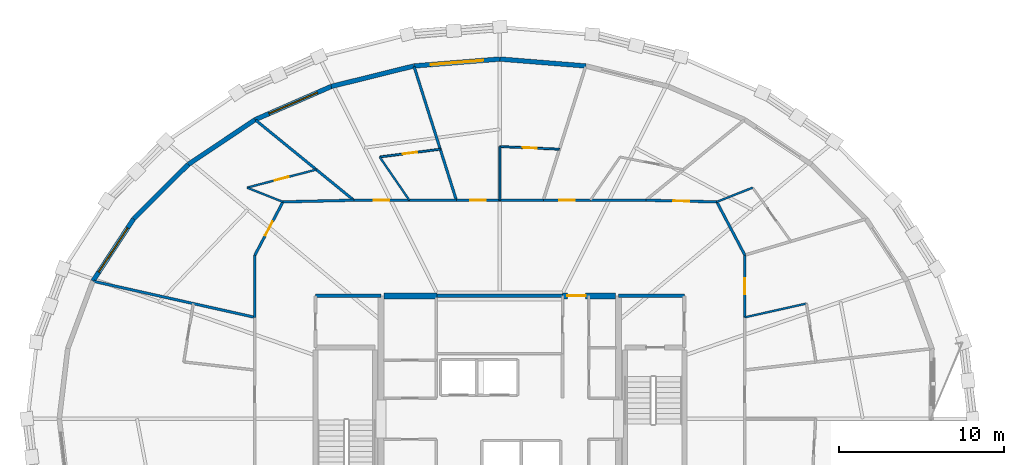
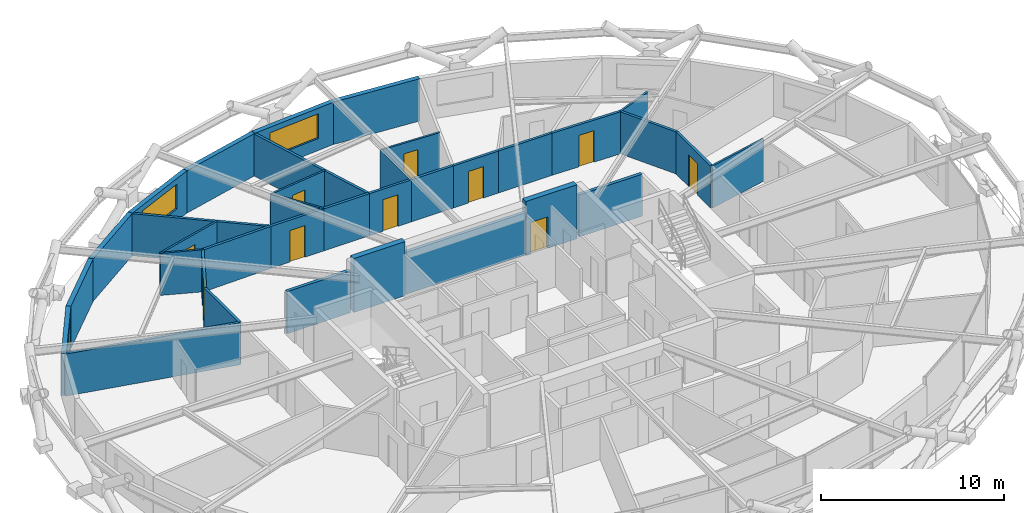
# One storey, part 17 of 21: 35 walls, 10 doors, 3 windows, 13 openings.
"""IFC4 building model written with IfcOpenShell, lengths in metres."""

from ifc_helpers import new_model, si_unit, direction, frame, frame_2d, origin, place, context, subcontext, project, spatial, rectangle, extrude, material, layer, layer_set, type_object, element, fill, save


model = new_model("IFC4")

# Units and contexts
model_context = context("Model", 3, precision=1e-05, world=origin(), true_north=direction((0.0, 1.0)))
body_context = subcontext(model_context, "Body", "Model", "MODEL_VIEW")
ifc_project = project(units=[si_unit("LENGTHUNIT", "METRE"), si_unit("AREAUNIT", "SQUARE_METRE"), si_unit("VOLUMEUNIT", "CUBIC_METRE"), si_unit("PLANEANGLEUNIT", "RADIAN"), si_unit("MASSUNIT", "GRAM", prefix="KILO")], contexts=[model_context])

# Site, building, storey
site_placement = place(None, origin())
site = spatial("IfcSite", under=ifc_project, at=site_placement, CompositionType="ELEMENT")
building_placement = place(site_placement, origin())
building = spatial("IfcBuilding", under=site, at=building_placement, Name="Veldorina Hangang Commons", CompositionType="ELEMENT")
storey_placement = place(building_placement, frame((0.0, 0.0, 120.800048828125)))
storey = spatial("IfcBuildingStorey", under=building, at=storey_placement, Name="L30", CompositionType="ELEMENT", Elevation=120.800048828125)

# Wall
ifc_material_1 = material(Name="Concrete C60/75", Category="concrete")
ifc_layer_1 = layer(ifc_material_1, 0.360107421875)
ifc_layer_set_1 = layer_set([ifc_layer_1], Name="Concrete C60/75")
wall_type_1 = type_object("IfcWallType", Name="CW-RC360-C60", PredefinedType="SHEAR", material=ifc_layer_set_1)
wall_1_placement = place(storey_placement, frame((24.97998046875, 31.449951171875, 0.0), z_axis=(0.0, 0.0, 1.0), x_axis=(1.0, 0.0, 0.0)))
element("IfcWall", 1, at=wall_1_placement, inside=storey, type_object=wall_type_1, Name="L30 north-west core shear wall", PredefinedType="SHEAR", context=body_context, shape_type="SweptSolid", body=[
    extrude(rectangle(XDim=3.219970703125, YDim=0.360107421875, at=frame_2d((1.60986328125, 0.0))), origin(), (0.0, 0.0, 1.0), 3.599853515625),
])

# Wall, opening, door
wall_2_placement = place(storey_placement, frame((35.800048828125, 31.449951171875, 0.0), z_axis=(0.0, 0.0, 1.0), x_axis=(1.0, 0.0, 0.0)))
wall_2 = element("IfcWall", 2, at=wall_2_placement, inside=storey, type_object=wall_type_1, Name="L30 north-east core shear wall", PredefinedType="SHEAR", context=body_context, shape_type="SweptSolid", body=[
    extrude(rectangle(XDim=3.219970703125, YDim=0.360107421875, at=frame_2d((1.60986328125, 0.0))), origin(), (0.0, 0.0, 1.0), 3.599853515625),
])
opening_1_placement = place(wall_2_placement, frame((0.300048828125, 0.0, 0.0)))
opening_1 = element("IfcOpeningElement", 3, at=opening_1_placement, cuts=wall_2, Name="Opening D-08", PredefinedType="OPENING", context=body_context, shape_type="SweptSolid", body=[
    extrude(rectangle(XDim=1.10009765625, YDim=2.10009765625, at=frame_2d((0.550048828125, 1.050048828125))), frame((0.0, 0.18994140625, 0.0), z_axis=(0.0, -1.0, 0.0), x_axis=(1.0, 0.0, 0.0)), (0.0, 0.0, 1.0), 0.380126953125),
])
ifc_material_2 = material(Name="Steel Fire-Rated Smoke Seal", Category="steel")
door_type_1 = type_object("IfcDoorType", Name="DR-FIRE-1100", OperationType="SINGLE_SWING_RIGHT", PredefinedType="DOOR", material=ifc_material_2)
door_1_placement = place(opening_1_placement, origin())
door_1 = element("IfcDoor", 4, at=door_1_placement, inside=storey, type_object=door_type_1, Name="L30 central lift lobby north corridor door", OperationType="SINGLE_SWING_LEFT", OverallHeight=2.10009765625, OverallWidth=1.10009765625, PredefinedType="DOOR", context=body_context, shape_type="SweptSolid", body=[
    extrude(rectangle(XDim=1.10009765625, YDim=2.10009765625, at=frame_2d((0.550048828125, 1.050048828125))), frame((0.0, 0.02490234375, 0.0), z_axis=(0.0, -1.0, 0.0), x_axis=(1.0, 0.0, 0.0)), (0.0, 0.0, 1.0), 0.050048828125),
])
fill(opening_1, door_1)

# Wall
ifc_material_3 = material(Name="Stone Roman Travertine", Category="masonry")
ifc_layer_2 = layer(ifc_material_3, 0.280029296875)
ifc_layer_set_2 = layer_set([ifc_layer_2], Name="Stone Roman Travertine")
wall_type_2 = type_object("IfcWallType", Name="EW-TRAV-280", PredefinedType="STANDARD", material=ifc_layer_set_2)
wall_3_placement = place(storey_placement, frame((37.210205078125, 45.387939453125, 0.0), z_axis=(0.0, 0.0, 1.0), x_axis=(-0.996782820501, 0.080149914249, 0.0)))
element("IfcWall", 5, at=wall_3_placement, inside=storey, type_object=wall_type_2, Name="L30 travertine facade wall 07", PredefinedType="STANDARD", context=body_context, shape_type="SweptSolid", body=[
    extrude(rectangle(XDim=5.22705078125, YDim=0.280029296875, at=frame_2d((2.613525390625, 0.0))), origin(), (0.0, 0.0, 1.0), 2.820068359375),
])

# Wall, opening, window
wall_4_placement = place(storey_placement, frame((32.0, 45.806884765625, 0.0), z_axis=(0.0, 0.0, 1.0), x_axis=(-0.996782820501, -0.080149914249, 0.0)))
wall_4 = element("IfcWall", 6, at=wall_4_placement, inside=storey, type_object=wall_type_2, Name="L30 travertine facade wall 08", PredefinedType="STANDARD", context=body_context, shape_type="SweptSolid", body=[
    extrude(rectangle(XDim=5.22705078125, YDim=0.280029296875, at=frame_2d((2.613525390625, 0.0))), origin(), (0.0, 0.0, 1.0), 2.820068359375),
])
opening_2_placement = place(wall_4_placement, frame((1.013671875, 0.0, 0.800048828125)))
opening_2 = element("IfcOpeningElement", 7, at=opening_2_placement, cuts=wall_4, Name="Opening W-01", PredefinedType="OPENING", context=body_context, shape_type="SweptSolid", body=[
    extrude(rectangle(XDim=3.199951171875, YDim=1.64990234375, at=frame_2d((1.60009765625, 0.824951171875))), frame((0.0, 0.14990234375, 0.0), z_axis=(0.0, -1.0, 0.0), x_axis=(1.0, 0.0, 0.0)), (0.0, 0.0, 1.0), 0.300048828125),
])
ifc_material_4 = material(Name="Glass Low-E Triple IGU", Category="glass")
window_type = type_object("IfcWindowType", Name="WIN-TWR-3200", PartitioningType="SINGLE_PANEL", PredefinedType="WINDOW", material=ifc_material_4)
window_1_placement = place(opening_2_placement, origin())
window_1 = element("IfcWindow", 8, at=window_1_placement, inside=storey, type_object=window_type, Name="L30 facade window 08", OverallHeight=1.64990234375, OverallWidth=3.199951171875, PartitioningType="SINGLE_PANEL", PredefinedType="WINDOW", context=body_context, shape_type="SweptSolid", body=[
    extrude(rectangle(XDim=3.199951171875, YDim=1.64990234375, at=frame_2d((1.60009765625, 0.824951171875))), frame((0.0, 0.030029296875, 0.0), z_axis=(0.0, -1.0, 0.0), x_axis=(1.0, 0.0, 0.0)), (0.0, 0.0, 1.0), 0.06005859375),
])
fill(opening_2, window_1)

# Wall
wall_5_placement = place(storey_placement, frame((26.789794921875, 45.387939453125, 0.0), z_axis=(0.0, 0.0, 1.0), x_axis=(-0.970666096737, -0.240431546694, 0.0)))
element("IfcWall", 9, at=wall_5_placement, inside=storey, type_object=wall_type_2, Name="L30 travertine facade wall 09", PredefinedType="STANDARD", context=body_context, shape_type="SweptSolid", body=[
    extrude(rectangle(XDim=5.161376953125, YDim=0.280029296875, at=frame_2d((2.58056640625, 0.0))), origin(), (0.0, 0.0, 1.0), 2.820068359375),
])

# Wall, opening, window
wall_6_placement = place(storey_placement, frame((21.77978515625, 44.14697265625, 0.0), z_axis=(0.0, 0.0, 1.0), x_axis=(-0.916520644769, -0.399987384441, 0.0)))
wall_6 = element("IfcWall", 10, at=wall_6_placement, inside=storey, type_object=wall_type_2, Name="L30 travertine facade wall 10", PredefinedType="STANDARD", context=body_context, shape_type="SweptSolid", body=[
    extrude(rectangle(XDim=5.0380859375, YDim=0.280029296875, at=frame_2d((2.51904296875, 0.0))), origin(), (0.0, 0.0, 1.0), 2.820068359375),
])
opening_3_placement = place(wall_6_placement, frame((0.9189453125, 0.0, 0.800048828125)))
opening_3 = element("IfcOpeningElement", 11, at=opening_3_placement, cuts=wall_6, Name="Opening W-01", PredefinedType="OPENING", context=body_context, shape_type="SweptSolid", body=[
    extrude(rectangle(XDim=3.199951171875, YDim=1.64990234375, at=frame_2d((1.60009765625, 0.824951171875))), frame((0.0, 0.14990234375, 0.0), z_axis=(0.0, -1.0, 0.0), x_axis=(1.0, 0.0, 0.0)), (0.0, 0.0, 1.0), 0.300048828125),
])
window_2_placement = place(opening_3_placement, origin())
window_2 = element("IfcWindow", 12, at=window_2_placement, inside=storey, type_object=window_type, Name="L30 facade window 10", OverallHeight=1.64990234375, OverallWidth=3.199951171875, PartitioningType="SINGLE_PANEL", PredefinedType="WINDOW", context=body_context, shape_type="SweptSolid", body=[
    extrude(rectangle(XDim=3.199951171875, YDim=1.64990234375, at=frame_2d((1.60009765625, 0.824951171875))), frame((0.0, 0.030029296875, 0.0), z_axis=(0.0, -1.0, 0.0), x_axis=(1.0, 0.0, 0.0)), (0.0, 0.0, 1.0), 0.06005859375),
])
fill(opening_3, window_2)

# Walls
wall_7_placement = place(storey_placement, frame((17.162353515625, 42.1318359375, 0.0), z_axis=(0.0, 0.0, 1.0), x_axis=(-0.830737301714, -0.556664652678, 0.0)))
element("IfcWall", 13, at=wall_7_placement, inside=storey, type_object=wall_type_2, Name="L30 travertine facade wall 11", PredefinedType="STANDARD", context=body_context, shape_type="SweptSolid", body=[
    extrude(rectangle(XDim=4.871826171875, YDim=0.280029296875, at=frame_2d((2.43603515625, 0.0))), origin(), (0.0, 0.0, 1.0), 2.820068359375),
])
wall_8_placement = place(storey_placement, frame((13.115234375, 39.419921875, 0.0), z_axis=(0.0, 0.0, 1.0), x_axis=(-0.708876231206, -0.705332892208, 0.0)))
element("IfcWall", 14, at=wall_8_placement, inside=storey, type_object=wall_type_2, Name="L30 travertine facade wall 12", PredefinedType="STANDARD", context=body_context, shape_type="SweptSolid", body=[
    extrude(rectangle(XDim=4.685302734375, YDim=0.280029296875, at=frame_2d((2.3427734375, 0.0))), origin(), (0.0, 0.0, 1.0), 2.820068359375),
])

# Wall, opening, window
wall_9_placement = place(storey_placement, frame((9.7939453125, 36.115234375, 0.0), z_axis=(0.0, 0.0, 1.0), x_axis=(-0.547716413999, -0.836664048371, 0.0)))
wall_9 = element("IfcWall", 15, at=wall_9_placement, inside=storey, type_object=wall_type_2, Name="L30 travertine facade wall 13", PredefinedType="STANDARD", context=body_context, shape_type="SweptSolid", body=[
    extrude(rectangle(XDim=4.506103515625, YDim=0.280029296875, at=frame_2d((2.2529296875, 0.0))), origin(), (0.0, 0.0, 1.0), 2.820068359375),
])
opening_4_placement = place(wall_9_placement, frame((0.653076171875, 0.0, 0.800048828125)))
opening_4 = element("IfcOpeningElement", 16, at=opening_4_placement, cuts=wall_9, Name="Opening W-01", PredefinedType="OPENING", context=body_context, shape_type="SweptSolid", body=[
    extrude(rectangle(XDim=3.199951171875, YDim=1.64990234375, at=frame_2d((1.60009765625, 0.824951171875))), frame((0.0, 0.14990234375, 0.0), z_axis=(0.0, -1.0, 0.0), x_axis=(1.0, 0.0, 0.0)), (0.0, 0.0, 1.0), 0.300048828125),
])
window_3_placement = place(opening_4_placement, origin())
window_3 = element("IfcWindow", 17, at=window_3_placement, inside=storey, type_object=window_type, Name="L30 facade window 13", OverallHeight=1.64990234375, OverallWidth=3.199951171875, PartitioningType="SINGLE_PANEL", PredefinedType="WINDOW", context=body_context, shape_type="SweptSolid", body=[
    extrude(rectangle(XDim=3.199951171875, YDim=1.64990234375, at=frame_2d((1.60009765625, 0.824951171875))), frame((0.0, 0.030029296875, 0.0), z_axis=(0.0, -1.0, 0.0), x_axis=(1.0, 0.0, 0.0)), (0.0, 0.0, 1.0), 0.06005859375),
])
fill(opening_4, window_3)

# Wall, opening, door
ifc_material_5 = material(Name="Gypsum Fire-Rated Twin Stud Wall", Category="gypsum")
ifc_layer_3 = layer(ifc_material_5, 0.159912109375)
ifc_layer_set_3 = layer_set([ifc_layer_3], Name="Gypsum Fire-Rated Twin Stud Wall")
wall_type_3 = type_object("IfcWallType", Name="WL-FIRE-160", PredefinedType="SOLIDWALL", material=ifc_layer_set_3)
wall_10_placement = place(storey_placement, frame((46.85009765625, 30.151123046875, 0.0), z_axis=(0.0, 0.0, 1.0), x_axis=(0.0, 1.0, 0.0)))
wall_10 = element("IfcWall", 18, at=wall_10_placement, inside=storey, type_object=wall_type_3, Name="L30 U-corridor outer wall 02 048", PredefinedType="SOLIDWALL", context=body_context, shape_type="SweptSolid", body=[
    extrude(rectangle(XDim=3.771484375, YDim=0.159912109375, at=frame_2d((1.8857421875, 0.0))), origin(), (0.0, 0.0, 1.0), 2.800048828125),
])
opening_5_placement = place(wall_10_placement, frame((1.41064453125, 0.0, 0.0)))
opening_5 = element("IfcOpeningElement", 19, at=opening_5_placement, cuts=wall_10, Name="Opening D-03", PredefinedType="OPENING", context=body_context, shape_type="SweptSolid", body=[
    extrude(rectangle(XDim=0.949951171875, YDim=2.10009765625, at=frame_2d((0.47509765625, 1.050048828125))), frame((0.0, 0.08984375, 0.0), z_axis=(0.0, -1.0, 0.0), x_axis=(1.0, 0.0, 0.0)), (0.0, 0.0, 1.0), 0.179931640625),
])
ifc_material_6 = material(Name="Timber Fire-Rated Entrance Core", Category="wood")
door_type_2 = type_object("IfcDoorType", Name="DR-UNIT-950", OperationType="SINGLE_SWING_RIGHT", PredefinedType="DOOR", material=ifc_material_6)
door_2_placement = place(opening_5_placement, origin())
door_2 = element("IfcDoor", 20, at=door_2_placement, inside=storey, type_object=door_type_2, Name="L30 Studio 4 entrance door 027", OperationType="SINGLE_SWING_LEFT", OverallHeight=2.10009765625, OverallWidth=0.949951171875, PredefinedType="DOOR", context=body_context, shape_type="SweptSolid", body=[
    extrude(rectangle(XDim=0.949951171875, YDim=2.10009765625, at=frame_2d((0.47509765625, 1.050048828125))), frame((0.0, 0.02490234375, 0.0), z_axis=(0.0, -1.0, 0.0), x_axis=(1.0, 0.0, 0.0)), (0.0, 0.0, 1.0), 0.050048828125),
])
fill(opening_5, door_2)

# Wall
wall_11_placement = place(storey_placement, frame((46.85009765625, 33.922607421875, 0.0), z_axis=(0.0, 0.0, 1.0), x_axis=(-0.466093963429, 0.884735224378, 0.0)))
element("IfcWall", 21, at=wall_11_placement, inside=storey, type_object=wall_type_3, Name="L30 U-corridor outer wall 03 049", PredefinedType="SOLIDWALL", context=body_context, shape_type="SweptSolid", body=[
    extrude(rectangle(XDim=3.647705078125, YDim=0.159912109375, at=frame_2d((1.82373046875, 0.0))), origin(), (0.0, 0.0, 1.0), 2.800048828125),
])

# Wall, opening, door
wall_12_placement = place(storey_placement, frame((45.14990234375, 37.14990234375, 0.0), z_axis=(0.0, 0.0, 1.0), x_axis=(-0.999728709658, 0.023291781507, 0.0)))
wall_12 = element("IfcWall", 22, at=wall_12_placement, inside=storey, type_object=wall_type_3, Name="L30 U-corridor outer wall 04 050", PredefinedType="SOLIDWALL", context=body_context, shape_type="SweptSolid", body=[
    extrude(rectangle(XDim=4.297607421875, YDim=0.159912109375, at=frame_2d((2.14892578125, 0.0))), origin(), (0.0, 0.0, 1.0), 2.800048828125),
])
opening_6_placement = place(wall_12_placement, frame((1.673828125, 0.0, 0.0)))
opening_6 = element("IfcOpeningElement", 23, at=opening_6_placement, cuts=wall_12, Name="Opening D-03", PredefinedType="OPENING", context=body_context, shape_type="SweptSolid", body=[
    extrude(rectangle(XDim=0.949951171875, YDim=2.10009765625, at=frame_2d((0.47509765625, 1.050048828125))), frame((0.0, 0.08984375, 0.0), z_axis=(0.0, -1.0, 0.0), x_axis=(1.0, 0.0, 0.0)), (0.0, 0.0, 1.0), 0.179931640625),
])
door_3_placement = place(opening_6_placement, origin())
door_3 = element("IfcDoor", 24, at=door_3_placement, inside=storey, type_object=door_type_2, Name="L30 Studio 5 entrance door 029", OperationType="SINGLE_SWING_LEFT", OverallHeight=2.10009765625, OverallWidth=0.949951171875, PredefinedType="DOOR", context=body_context, shape_type="SweptSolid", body=[
    extrude(rectangle(XDim=0.949951171875, YDim=2.10009765625, at=frame_2d((0.47509765625, 1.050048828125))), frame((0.0, 0.02490234375, 0.0), z_axis=(0.0, -1.0, 0.0), x_axis=(1.0, 0.0, 0.0)), (0.0, 0.0, 1.0), 0.050048828125),
])
fill(opening_6, door_3)

# Wall
wall_13_placement = place(storey_placement, frame((40.853515625, 37.25, 0.0), z_axis=(0.0, 0.0, 1.0), x_axis=(-1.0, 0.0, 0.0)))
element("IfcWall", 25, at=wall_13_placement, inside=storey, type_object=wall_type_3, Name="L30 U-corridor outer wall 05 051", PredefinedType="SOLIDWALL", context=body_context, shape_type="SweptSolid", body=[
    extrude(rectangle(XDim=3.365234375, YDim=0.159912109375, at=frame_2d((1.6826171875, 0.0))), origin(), (0.0, 0.0, 1.0), 2.800048828125),
])

# Wall, opening, door
wall_14_placement = place(storey_placement, frame((37.48828125, 37.25, 0.0), z_axis=(0.0, 0.0, 1.0), x_axis=(-1.0, 0.0, 0.0)))
wall_14 = element("IfcWall", 26, at=wall_14_placement, inside=storey, type_object=wall_type_3, Name="L30 U-corridor outer wall 06 052", PredefinedType="SOLIDWALL", context=body_context, shape_type="SweptSolid", body=[
    extrude(rectangle(XDim=2.852783203125, YDim=0.159912109375, at=frame_2d((1.42626953125, 0.0))), origin(), (0.0, 0.0, 1.0), 2.800048828125),
])
opening_7_placement = place(wall_14_placement, frame((0.951416015625, 0.0, 0.0)))
opening_7 = element("IfcOpeningElement", 27, at=opening_7_placement, cuts=wall_14, Name="Opening D-03", PredefinedType="OPENING", context=body_context, shape_type="SweptSolid", body=[
    extrude(rectangle(XDim=0.949951171875, YDim=2.10009765625, at=frame_2d((0.47509765625, 1.050048828125))), frame((0.0, 0.08984375, 0.0), z_axis=(0.0, -1.0, 0.0), x_axis=(1.0, 0.0, 0.0)), (0.0, 0.0, 1.0), 0.179931640625),
])
door_4_placement = place(opening_7_placement, origin())
door_4 = element("IfcDoor", 28, at=door_4_placement, inside=storey, type_object=door_type_2, Name="L30 Studio 6 entrance door 031", OperationType="SINGLE_SWING_LEFT", OverallHeight=2.10009765625, OverallWidth=0.949951171875, PredefinedType="DOOR", context=body_context, shape_type="SweptSolid", body=[
    extrude(rectangle(XDim=0.949951171875, YDim=2.10009765625, at=frame_2d((0.47509765625, 1.050048828125))), frame((0.0, 0.02490234375, 0.0), z_axis=(0.0, -1.0, 0.0), x_axis=(1.0, 0.0, 0.0)), (0.0, 0.0, 1.0), 0.050048828125),
])
fill(opening_7, door_4)

# Wall
wall_15_placement = place(storey_placement, frame((34.635498046875, 37.25, 0.0), z_axis=(0.0, 0.0, 1.0), x_axis=(-1.0, 0.0, 0.0)))
element("IfcWall", 29, at=wall_15_placement, inside=storey, type_object=wall_type_3, Name="L30 U-corridor outer wall 07 053", PredefinedType="SOLIDWALL", context=body_context, shape_type="SweptSolid", body=[
    extrude(rectangle(XDim=2.635498046875, YDim=0.159912109375, at=frame_2d((1.31787109375, 0.0))), origin(), (0.0, 0.0, 1.0), 2.800048828125),
])

# Wall, opening, door
wall_16_placement = place(storey_placement, frame((32.0, 37.25, 0.0), z_axis=(0.0, 0.0, 1.0), x_axis=(-1.0, 0.0, 0.0)))
wall_16 = element("IfcWall", 30, at=wall_16_placement, inside=storey, type_object=wall_type_3, Name="L30 U-corridor outer wall 08 054", PredefinedType="SOLIDWALL", context=body_context, shape_type="SweptSolid", body=[
    extrude(rectangle(XDim=2.635498046875, YDim=0.159912109375, at=frame_2d((1.31787109375, 0.0))), origin(), (0.0, 0.0, 1.0), 2.800048828125),
])
opening_8_placement = place(wall_16_placement, frame((0.8427734375, 0.0, 0.0)))
opening_8 = element("IfcOpeningElement", 31, at=opening_8_placement, cuts=wall_16, Name="Opening D-03", PredefinedType="OPENING", context=body_context, shape_type="SweptSolid", body=[
    extrude(rectangle(XDim=0.949951171875, YDim=2.10009765625, at=frame_2d((0.47509765625, 1.050048828125))), frame((0.0, 0.08984375, 0.0), z_axis=(0.0, -1.0, 0.0), x_axis=(1.0, 0.0, 0.0)), (0.0, 0.0, 1.0), 0.179931640625),
])
door_5_placement = place(opening_8_placement, origin())
door_5 = element("IfcDoor", 32, at=door_5_placement, inside=storey, type_object=door_type_2, Name="L30 Studio 7 entrance door 033", OperationType="SINGLE_SWING_LEFT", OverallHeight=2.10009765625, OverallWidth=0.949951171875, PredefinedType="DOOR", context=body_context, shape_type="SweptSolid", body=[
    extrude(rectangle(XDim=0.949951171875, YDim=2.10009765625, at=frame_2d((0.47509765625, 1.050048828125))), frame((0.0, 0.02490234375, 0.0), z_axis=(0.0, -1.0, 0.0), x_axis=(1.0, 0.0, 0.0)), (0.0, 0.0, 1.0), 0.050048828125),
])
fill(opening_8, door_5)

# Wall
wall_17_placement = place(storey_placement, frame((29.364501953125, 37.25, 0.0), z_axis=(0.0, 0.0, 1.0), x_axis=(-1.0, 0.0, 0.0)))
element("IfcWall", 33, at=wall_17_placement, inside=storey, type_object=wall_type_3, Name="L30 U-corridor outer wall 09 055", PredefinedType="SOLIDWALL", context=body_context, shape_type="SweptSolid", body=[
    extrude(rectangle(XDim=2.852783203125, YDim=0.159912109375, at=frame_2d((1.42626953125, 0.0))), origin(), (0.0, 0.0, 1.0), 2.800048828125),
])

# Wall, opening, door
wall_18_placement = place(storey_placement, frame((26.51171875, 37.25, 0.0), z_axis=(0.0, 0.0, 1.0), x_axis=(-1.0, 0.0, 0.0)))
wall_18 = element("IfcWall", 34, at=wall_18_placement, inside=storey, type_object=wall_type_3, Name="L30 U-corridor outer wall 10 056", PredefinedType="SOLIDWALL", context=body_context, shape_type="SweptSolid", body=[
    extrude(rectangle(XDim=3.365234375, YDim=0.159912109375, at=frame_2d((1.6826171875, 0.0))), origin(), (0.0, 0.0, 1.0), 2.800048828125),
])
opening_9_placement = place(wall_18_placement, frame((1.20751953125, 0.0, 0.0)))
opening_9 = element("IfcOpeningElement", 35, at=opening_9_placement, cuts=wall_18, Name="Opening D-03", PredefinedType="OPENING", context=body_context, shape_type="SweptSolid", body=[
    extrude(rectangle(XDim=0.949951171875, YDim=2.10009765625, at=frame_2d((0.47509765625, 1.050048828125))), frame((0.0, 0.08984375, 0.0), z_axis=(0.0, -1.0, 0.0), x_axis=(1.0, 0.0, 0.0)), (0.0, 0.0, 1.0), 0.179931640625),
])
door_6_placement = place(opening_9_placement, origin())
door_6 = element("IfcDoor", 36, at=door_6_placement, inside=storey, type_object=door_type_2, Name="L30 Studio 8 entrance door 035", OperationType="SINGLE_SWING_LEFT", OverallHeight=2.10009765625, OverallWidth=0.949951171875, PredefinedType="DOOR", context=body_context, shape_type="SweptSolid", body=[
    extrude(rectangle(XDim=0.949951171875, YDim=2.10009765625, at=frame_2d((0.47509765625, 1.050048828125))), frame((0.0, 0.02490234375, 0.0), z_axis=(0.0, -1.0, 0.0), x_axis=(1.0, 0.0, 0.0)), (0.0, 0.0, 1.0), 0.050048828125),
])
fill(opening_9, door_6)

# Wall
wall_19_placement = place(storey_placement, frame((23.146484375, 37.25, 0.0), z_axis=(0.0, 0.0, 1.0), x_axis=(-0.999728709658, -0.023291781507, 0.0)))
element("IfcWall", 37, at=wall_19_placement, inside=storey, type_object=wall_type_3, Name="L30 U-corridor outer wall 11 057", PredefinedType="SOLIDWALL", context=body_context, shape_type="SweptSolid", body=[
    extrude(rectangle(XDim=4.297607421875, YDim=0.159912109375, at=frame_2d((2.14892578125, 0.0))), origin(), (0.0, 0.0, 1.0), 2.800048828125),
])

# Wall, opening, door
wall_20_placement = place(storey_placement, frame((18.85009765625, 37.14990234375, 0.0), z_axis=(0.0, 0.0, 1.0), x_axis=(-0.466093963429, -0.884735224378, 0.0)))
wall_20 = element("IfcWall", 38, at=wall_20_placement, inside=storey, type_object=wall_type_3, Name="L30 U-corridor outer wall 12 058", PredefinedType="SOLIDWALL", context=body_context, shape_type="SweptSolid", body=[
    extrude(rectangle(XDim=3.647705078125, YDim=0.159912109375, at=frame_2d((1.82373046875, 0.0))), origin(), (0.0, 0.0, 1.0), 2.800048828125),
])
opening_10_placement = place(wall_20_placement, frame((1.348876953125, 0.0, 0.0)))
opening_10 = element("IfcOpeningElement", 39, at=opening_10_placement, cuts=wall_20, Name="Opening D-03", PredefinedType="OPENING", context=body_context, shape_type="SweptSolid", body=[
    extrude(rectangle(XDim=0.949951171875, YDim=2.10009765625, at=frame_2d((0.47509765625, 1.050048828125))), frame((0.0, 0.08984375, 0.0), z_axis=(0.0, -1.0, 0.0), x_axis=(1.0, 0.0, 0.0)), (0.0, 0.0, 1.0), 0.179931640625),
])
door_7_placement = place(opening_10_placement, origin())
door_7 = element("IfcDoor", 40, at=door_7_placement, inside=storey, type_object=door_type_2, Name="L30 Studio 9 entrance door 037", OperationType="SINGLE_SWING_LEFT", OverallHeight=2.10009765625, OverallWidth=0.949951171875, PredefinedType="DOOR", context=body_context, shape_type="SweptSolid", body=[
    extrude(rectangle(XDim=0.949951171875, YDim=2.10009765625, at=frame_2d((0.47509765625, 1.050048828125))), frame((0.0, 0.02490234375, 0.0), z_axis=(0.0, -1.0, 0.0), x_axis=(1.0, 0.0, 0.0)), (0.0, 0.0, 1.0), 0.050048828125),
])
fill(opening_10, door_7)

# Walls
wall_21_placement = place(storey_placement, frame((17.14990234375, 33.922607421875, 0.0), z_axis=(0.0, 0.0, 1.0), x_axis=(0.0, -1.0, 0.0)))
element("IfcWall", 41, at=wall_21_placement, inside=storey, type_object=wall_type_3, Name="L30 U-corridor outer wall 13 059", PredefinedType="SOLIDWALL", context=body_context, shape_type="SweptSolid", body=[
    extrude(rectangle(XDim=3.771484375, YDim=0.159912109375, at=frame_2d((1.8857421875, 0.0))), origin(), (0.0, 0.0, 1.0), 2.800048828125),
])
wall_22_placement = place(storey_placement, frame((29.364501953125, 37.25, 0.0), z_axis=(0.0, 0.0, 1.0), x_axis=(-0.30167247597, 0.953411620048, 0.0)))
element("IfcWall", 42, at=wall_22_placement, inside=storey, type_object=wall_type_3, Name="L30 Unit party wall 09 101", PredefinedType="SOLIDWALL", context=body_context, shape_type="SweptSolid", body=[
    extrude(rectangle(XDim=8.4853515625, YDim=0.159912109375, at=frame_2d((4.24267578125, 0.0))), origin(), (0.0, 0.0, 1.0), 2.800048828125),
])
wall_23_placement = place(storey_placement, frame((23.146484375, 37.25, 0.0), z_axis=(0.0, 0.0, 1.0), x_axis=(-0.774866661355, 0.632124716429, 0.0)))
element("IfcWall", 43, at=wall_23_placement, inside=storey, type_object=wall_type_3, Name="L30 Unit party wall 11 104", PredefinedType="SOLIDWALL", context=body_context, shape_type="SweptSolid", body=[
    extrude(rectangle(XDim=7.672607421875, YDim=0.159912109375, at=frame_2d((3.83642578125, 0.0))), origin(), (0.0, 0.0, 1.0), 2.800048828125),
])
wall_24_placement = place(storey_placement, frame((17.14990234375, 30.151123046875, 0.0), z_axis=(0.0, 0.0, 1.0), x_axis=(-0.975957101014, 0.217962696303, 0.0)))
element("IfcWall", 44, at=wall_24_placement, inside=storey, type_object=wall_type_3, Name="L30 Unit party wall 14 107", PredefinedType="SOLIDWALL", context=body_context, shape_type="SweptSolid", body=[
    extrude(rectangle(XDim=10.015869140625, YDim=0.159912109375, at=frame_2d((5.0078125, 0.0))), origin(), (0.0, 0.0, 1.0), 2.800048828125),
])
ifc_material_7 = material(Name="Concrete Blockwork Fire Wall C30/37", Category="masonry")
ifc_layer_4 = layer(ifc_material_7, 0.199951171875)
ifc_layer_set_4 = layer_set([ifc_layer_4], Name="Concrete Blockwork Fire Wall C30/37")
wall_type_4 = type_object("IfcWallType", Name="WL-FIRE-200", PredefinedType="SOLIDWALL", material=ifc_layer_set_4)
for number, where, z_axis, x_axis, name in (
    (45, (39.199951171875, 31.449951171875, 0.0), (0.0, 0.0, 1.0), (1.0, 0.0, 0.0), "L30 East vestibule north wall 004"),
    (46, (20.820068359375, 31.449951171875, 0.0), (0.0, 0.0, 1.0), (1.0, 0.0, 0.0), "L30 NW core room north wall 006"),
):
    element("IfcWall", number, at=place(storey_placement, frame(where, z_axis=z_axis, x_axis=x_axis)), inside=storey, type_object=wall_type_4, Name=name, PredefinedType="SOLIDWALL", context=body_context, shape_type="SweptSolid", body=[
        extrude(rectangle(XDim=3.97998046875, YDim=0.199951171875, at=frame_2d((1.989990234375, 0.0))), origin(), (0.0, 0.0, 1.0), 2.800048828125),
    ])
wall_25_placement = place(storey_placement, frame((28.199951171875, 31.449951171875, 0.0), z_axis=(0.0, 0.0, 1.0), x_axis=(1.0, 0.0, 0.0)))
element("IfcWall", 47, at=wall_25_placement, inside=storey, type_object=wall_type_4, Name="L30 Merged north core wall 031", PredefinedType="SOLIDWALL", context=body_context, shape_type="SweptSolid", body=[
    extrude(rectangle(XDim=7.60009765625, YDim=0.199951171875, at=frame_2d((3.800048828125, 0.0))), origin(), (0.0, 0.0, 1.0), 2.800048828125),
])
ifc_material_8 = material(Name="Gypsum Acoustic Stud Partition", Category="gypsum")
ifc_layer_5 = layer(ifc_material_8, 0.1201171875)
ifc_layer_set_5 = layer_set([ifc_layer_5], Name="Gypsum Acoustic Stud Partition")
wall_type_5 = type_object("IfcWallType", Name="WL-PART-120", PredefinedType="PARTITIONING", material=ifc_layer_set_5)
wall_26_placement = place(storey_placement, frame((46.85009765625, 30.151123046875, 0.0), z_axis=(0.0, 0.0, 1.0), x_axis=(0.975956740553, 0.217964310312, 0.0)))
element("IfcWall", 48, at=wall_26_placement, inside=storey, type_object=wall_type_5, Name="L30 Studio 4 bath side wall 091", PredefinedType="PARTITIONING", context=body_context, shape_type="SweptSolid", body=[
    extrude(rectangle(XDim=3.8251953125, YDim=0.1201171875, at=frame_2d((1.91259765625, 0.0))), origin(), (0.0, 0.0, 1.0), 2.800048828125),
])
wall_27_placement = place(storey_placement, frame((45.14990234375, 37.14990234375, 0.0), z_axis=(0.0, 0.0, 1.0), x_axis=(0.929814039577, 0.368029688755, 0.0)))
element("IfcWall", 49, at=wall_27_placement, inside=storey, type_object=wall_type_5, Name="L30 Studio 5 bath side wall 094", PredefinedType="PARTITIONING", context=body_context, shape_type="SweptSolid", body=[
    extrude(rectangle(XDim=2.34375, YDim=0.1201171875, at=frame_2d((1.171875, 0.0))), origin(), (0.0, 0.0, 1.0), 2.800048828125),
])

# Wall, opening, door
wall_28_placement = place(storey_placement, frame((35.614013671875, 40.34228515625, 0.0), z_axis=(0.0, 0.0, 1.0), x_axis=(-0.999028453428, 0.044069822339, 0.0)))
wall_28 = element("IfcWall", 50, at=wall_28_placement, inside=storey, type_object=wall_type_5, Name="L30 Studio 7 bath front wall 099", PredefinedType="PARTITIONING", context=body_context, shape_type="SweptSolid", body=[
    extrude(rectangle(XDim=3.617431640625, YDim=0.1201171875, at=frame_2d((1.80859375, 0.0))), origin(), (0.0, 0.0, 1.0), 2.800048828125),
])
opening_11_placement = place(wall_28_placement, frame((1.37890625, 0.0, 0.0)))
opening_11 = element("IfcOpeningElement", 51, at=opening_11_placement, cuts=wall_28, Name="Opening D-01", PredefinedType="OPENING", context=body_context, shape_type="SweptSolid", body=[
    extrude(rectangle(XDim=0.860107421875, YDim=2.10009765625, at=frame_2d((0.43017578125, 1.050048828125))), frame((0.0, 0.070068359375, 0.0), z_axis=(0.0, -1.0, 0.0), x_axis=(1.0, 0.0, 0.0)), (0.0, 0.0, 1.0), 0.14013671875),
])
ifc_material_9 = material(Name="Timber Moisture-Resistant Core", Category="wood")
door_type_3 = type_object("IfcDoorType", Name="DR-WET-860", OperationType="SINGLE_SWING_LEFT", PredefinedType="DOOR", material=ifc_material_9)
door_8_placement = place(opening_11_placement, origin())
door_8 = element("IfcDoor", 52, at=door_8_placement, inside=storey, type_object=door_type_3, Name="L30 Studio 7 bathroom door 032", OperationType="SINGLE_SWING_RIGHT", OverallHeight=2.10009765625, OverallWidth=0.860107421875, PredefinedType="DOOR", context=body_context, shape_type="SweptSolid", body=[
    extrude(rectangle(XDim=0.860107421875, YDim=2.10009765625, at=frame_2d((0.43017578125, 1.050048828125))), frame((0.0, 0.02490234375, 0.0), z_axis=(0.0, -1.0, 0.0), x_axis=(1.0, 0.0, 0.0)), (0.0, 0.0, 1.0), 0.050048828125),
])
fill(opening_11, door_8)

# Wall
wall_29_placement = place(storey_placement, frame((32.0, 37.25, 0.0), z_axis=(0.0, 0.0, 1.0), x_axis=(0.0, 1.0, 0.0)))
element("IfcWall", 53, at=wall_29_placement, inside=storey, type_object=wall_type_5, Name="L30 Studio 7 bath side wall 100", PredefinedType="PARTITIONING", context=body_context, shape_type="SweptSolid", body=[
    extrude(rectangle(XDim=3.251708984375, YDim=0.1201171875, at=frame_2d((1.6259765625, 0.0))), origin(), (0.0, 0.0, 1.0), 2.800048828125),
])

# Wall, opening, door
wall_30_placement = place(storey_placement, frame((28.385986328125, 40.34228515625, 0.0), z_axis=(0.0, 0.0, 1.0), x_axis=(-0.991861607412, -0.127320665021, 0.0)))
wall_30 = element("IfcWall", 54, at=wall_30_placement, inside=storey, type_object=wall_type_5, Name="L30 Studio 8 bath front wall 102", PredefinedType="PARTITIONING", context=body_context, shape_type="SweptSolid", body=[
    extrude(rectangle(XDim=3.70263671875, YDim=0.1201171875, at=frame_2d((1.851318359375, 0.0))), origin(), (0.0, 0.0, 1.0), 2.800048828125),
])
opening_12_placement = place(wall_30_placement, frame((1.42138671875, 0.0, 0.0)))
opening_12 = element("IfcOpeningElement", 55, at=opening_12_placement, cuts=wall_30, Name="Opening D-01", PredefinedType="OPENING", context=body_context, shape_type="SweptSolid", body=[
    extrude(rectangle(XDim=0.860107421875, YDim=2.10009765625, at=frame_2d((0.43017578125, 1.050048828125))), frame((0.0, 0.070068359375, 0.0), z_axis=(0.0, -1.0, 0.0), x_axis=(1.0, 0.0, 0.0)), (0.0, 0.0, 1.0), 0.14013671875),
])
door_9_placement = place(opening_12_placement, origin())
door_9 = element("IfcDoor", 56, at=door_9_placement, inside=storey, type_object=door_type_3, Name="L30 Studio 8 bathroom door 034", OperationType="SINGLE_SWING_RIGHT", OverallHeight=2.10009765625, OverallWidth=0.860107421875, PredefinedType="DOOR", context=body_context, shape_type="SweptSolid", body=[
    extrude(rectangle(XDim=0.860107421875, YDim=2.10009765625, at=frame_2d((0.43017578125, 1.050048828125))), frame((0.0, 0.02490234375, 0.0), z_axis=(0.0, -1.0, 0.0), x_axis=(1.0, 0.0, 0.0)), (0.0, 0.0, 1.0), 0.050048828125),
])
fill(opening_12, door_9)

# Wall
wall_31_placement = place(storey_placement, frame((26.51171875, 37.25, 0.0), z_axis=(0.0, 0.0, 1.0), x_axis=(-0.56578208736, 0.824554806925, 0.0)))
element("IfcWall", 57, at=wall_31_placement, inside=storey, type_object=wall_type_5, Name="L30 Studio 8 bath side wall 103", PredefinedType="PARTITIONING", context=body_context, shape_type="SweptSolid", body=[
    extrude(rectangle(XDim=3.178466796875, YDim=0.1201171875, at=frame_2d((1.58935546875, 0.0))), origin(), (0.0, 0.0, 1.0), 2.800048828125),
])

# Wall, opening, door
wall_32_placement = place(storey_placement, frame((20.87255859375, 39.10498046875, 0.0), z_axis=(0.0, 0.0, 1.0), x_axis=(-0.967817028368, -0.25165492167, 0.0)))
wall_32 = element("IfcWall", 58, at=wall_32_placement, inside=storey, type_object=wall_type_5, Name="L30 Studio 9 bath front wall 105", PredefinedType="PARTITIONING", context=body_context, shape_type="SweptSolid", body=[
    extrude(rectangle(XDim=4.34130859375, YDim=0.1201171875, at=frame_2d((2.170654296875, 0.0))), origin(), (0.0, 0.0, 1.0), 2.800048828125),
])
opening_13_placement = place(wall_32_placement, frame((1.74072265625, 0.0, 0.0)))
opening_13 = element("IfcOpeningElement", 59, at=opening_13_placement, cuts=wall_32, Name="Opening D-01", PredefinedType="OPENING", context=body_context, shape_type="SweptSolid", body=[
    extrude(rectangle(XDim=0.860107421875, YDim=2.10009765625, at=frame_2d((0.43017578125, 1.050048828125))), frame((0.0, 0.070068359375, 0.0), z_axis=(0.0, -1.0, 0.0), x_axis=(1.0, 0.0, 0.0)), (0.0, 0.0, 1.0), 0.14013671875),
])
door_10_placement = place(opening_13_placement, origin())
door_10 = element("IfcDoor", 60, at=door_10_placement, inside=storey, type_object=door_type_3, Name="L30 Studio 9 bathroom door 036", OperationType="SINGLE_SWING_RIGHT", OverallHeight=2.10009765625, OverallWidth=0.860107421875, PredefinedType="DOOR", context=body_context, shape_type="SweptSolid", body=[
    extrude(rectangle(XDim=0.860107421875, YDim=2.10009765625, at=frame_2d((0.43017578125, 1.050048828125))), frame((0.0, 0.02490234375, 0.0), z_axis=(0.0, -1.0, 0.0), x_axis=(1.0, 0.0, 0.0)), (0.0, 0.0, 1.0), 0.050048828125),
])
fill(opening_13, door_10)

# Wall
wall_33_placement = place(storey_placement, frame((18.85009765625, 37.14990234375, 0.0), z_axis=(0.0, 0.0, 1.0), x_axis=(-0.929814039577, 0.368029688755, 0.0)))
element("IfcWall", 61, at=wall_33_placement, inside=storey, type_object=wall_type_5, Name="L30 Studio 9 bath side wall 106", PredefinedType="PARTITIONING", context=body_context, shape_type="SweptSolid", body=[
    extrude(rectangle(XDim=2.34375, YDim=0.1201171875, at=frame_2d((1.171875, 0.0))), origin(), (0.0, 0.0, 1.0), 2.800048828125),
])

save(model, "model.ifc")
